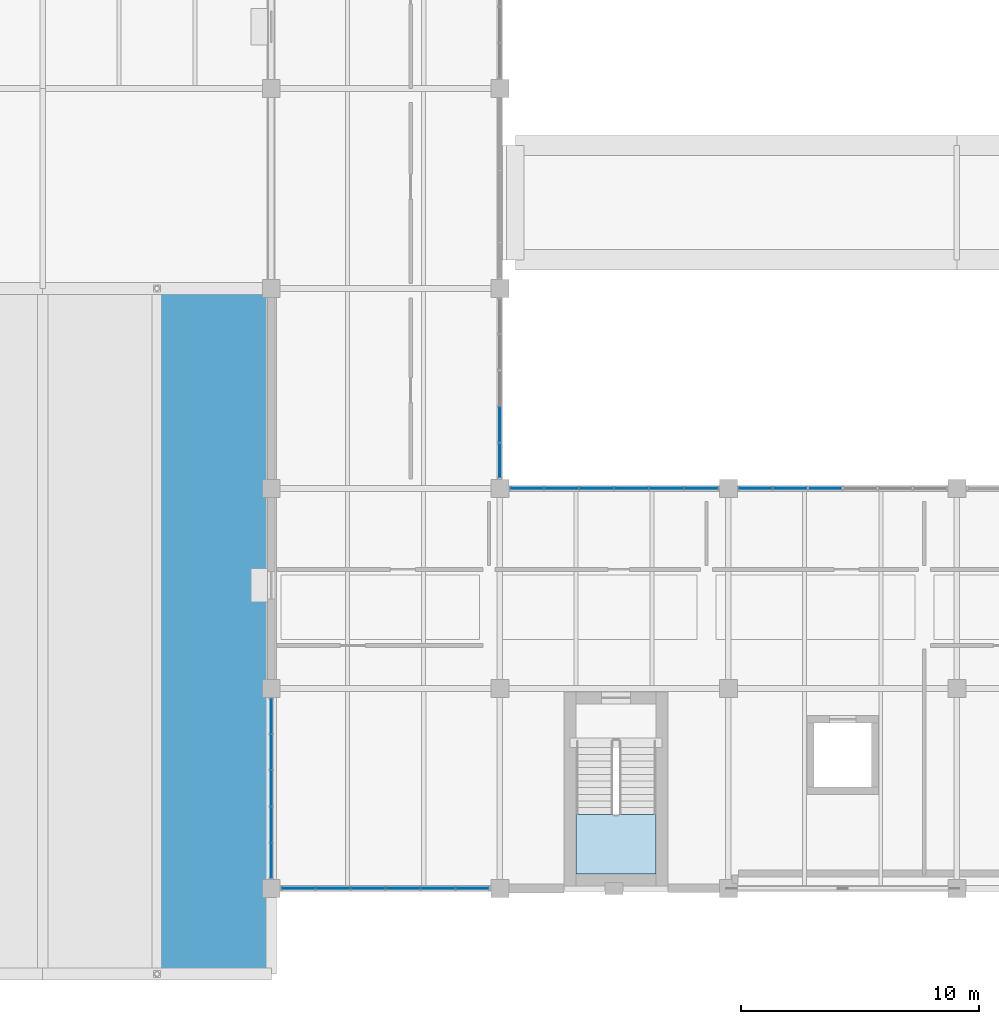
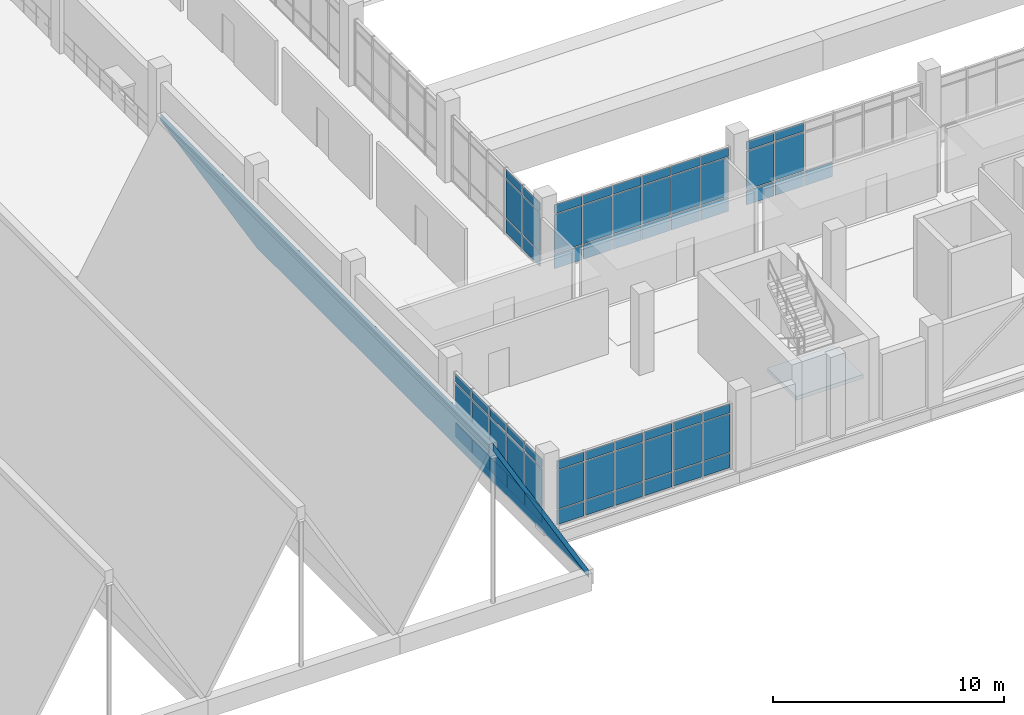
# One storey, part 40 of 86: 64 plates, 2 slabs, 7 elements without a shape of their own.
"""IFC4 building model written with IfcOpenShell, lengths in metres."""

from ifc_helpers import new_model, si_unit, direction, frame, origin, origin_2d, place, context, subcontext, project, spatial, polyline, rectangle, outline, extrude, material, layer, layer_set, type_object, element, aggregate, save


model = new_model("IFC4")

# Units and contexts
model_context = context("Model", 3, precision=1e-05, world=origin(), true_north=direction((0.0, 1.0)))
body_context = subcontext(model_context, "Body", "Model", "MODEL_VIEW")
ifc_project = project(units=[si_unit("LENGTHUNIT", "METRE"), si_unit("AREAUNIT", "SQUARE_METRE"), si_unit("VOLUMEUNIT", "CUBIC_METRE"), si_unit("PLANEANGLEUNIT", "RADIAN"), si_unit("MASSUNIT", "GRAM", prefix="KILO")], contexts=[model_context])

# Site, building, storey
site_placement = place(None, origin())
site = spatial("IfcSite", under=ifc_project, at=site_placement, CompositionType="ELEMENT")
building_placement = place(site_placement, origin())
building = spatial("IfcBuilding", under=site, at=building_placement, Name="Oolite Switchyard Hospital", CompositionType="ELEMENT")
storey_placement = place(building_placement, frame((0.0, 0.0, 13.5)))
storey = spatial("IfcBuildingStorey", under=building, at=storey_placement, Name="L03", CompositionType="ELEMENT", Elevation=13.5)

# Curtain wall, plates
ifc_material_1 = material(Name="Thermally broken aluminum frame with laminated impact glazing", Category="aluminium")
curtain_wall_type_1 = type_object("IfcCurtainWallType", Name="CW-UNIT-84X43", PredefinedType="USERDEFINED", material=ifc_material_1)
curtain_wall_1_placement = place(storey_placement, origin())
curtain_wall_1 = element("IfcCurtainWall", 1, at=curtain_wall_1_placement, inside=storey, type_object=curtain_wall_type_1, Name="L03 Unitised Curtain Wall 339", ObjectType="UNITISED", PredefinedType="USERDEFINED")
ifc_material_2 = material(Name="Laminated hurricane-impact insulated glazing unit", Category="glass")
ifc_layer_1 = layer(ifc_material_2, 0.028076171875)
ifc_layer_set_1 = layer_set([ifc_layer_1], Name="CW-PNL-VIS28")
plate_type_1 = type_object("IfcPlateType", Name="CW-PNL-VIS28", PredefinedType="CURTAIN_PANEL", material=ifc_layer_set_1)
plate_1_placement = place(storey_placement, frame((134.39990234375, 9.56689453125, 0.0751953125), z_axis=(0.0, 0.0, 1.0), x_axis=(0.0, 1.0, 0.0)))
plate_1 = element("IfcPlate", 2, at=plate_1_placement, type_object=plate_type_1, Name="CW-09 panel 1.1", PredefinedType="CURTAIN_PANEL", context=body_context, shape_type="SweptSolid", body=[
    extrude(rectangle(XDim=1.43408203125, YDim=0.028076171875, at=origin_2d()), origin(), (0.0, 0.0, 1.0), 0.737548828125),
])
plate_2_placement = place(storey_placement, frame((134.39990234375, 9.56689453125, 0.8876953125), z_axis=(0.0, 0.0, 1.0), x_axis=(0.0, 1.0, 0.0)))
plate_2 = element("IfcPlate", 3, at=plate_2_placement, type_object=plate_type_1, Name="CW-09 panel 1.2", PredefinedType="CURTAIN_PANEL", context=body_context, shape_type="SweptSolid", body=[
    extrude(rectangle(XDim=1.43408203125, YDim=0.028076171875, at=origin_2d()), origin(), (0.0, 0.0, 1.0), 2.014892578125),
])
plate_3_placement = place(storey_placement, frame((134.39990234375, 9.56689453125, 2.9775390625), z_axis=(0.0, 0.0, 1.0), x_axis=(0.0, 1.0, 0.0)))
plate_3 = element("IfcPlate", 4, at=plate_3_placement, type_object=plate_type_1, Name="CW-09 panel 1.3", PredefinedType="CURTAIN_PANEL", context=body_context, shape_type="SweptSolid", body=[
    extrude(rectangle(XDim=1.43408203125, YDim=0.028076171875, at=origin_2d()), origin(), (0.0, 0.0, 1.0), 0.4375),
])
plate_4_placement = place(storey_placement, frame((134.39990234375, 11.075927734375, 0.0751953125), z_axis=(0.0, 0.0, 1.0), x_axis=(0.0, 1.0, 0.0)))
plate_4 = element("IfcPlate", 5, at=plate_4_placement, type_object=plate_type_1, Name="CW-09 panel 2.1", PredefinedType="CURTAIN_PANEL", context=body_context, shape_type="SweptSolid", body=[
    extrude(rectangle(XDim=1.464111328125, YDim=0.028076171875, at=origin_2d()), origin(), (0.0, 0.0, 1.0), 0.737548828125),
])
plate_5_placement = place(storey_placement, frame((134.39990234375, 11.075927734375, 0.8876953125), z_axis=(0.0, 0.0, 1.0), x_axis=(0.0, 1.0, 0.0)))
plate_5 = element("IfcPlate", 6, at=plate_5_placement, type_object=plate_type_1, Name="CW-09 panel 2.2", PredefinedType="CURTAIN_PANEL", context=body_context, shape_type="SweptSolid", body=[
    extrude(rectangle(XDim=1.464111328125, YDim=0.028076171875, at=origin_2d()), origin(), (0.0, 0.0, 1.0), 2.014892578125),
])
plate_6_placement = place(storey_placement, frame((134.39990234375, 11.075927734375, 2.9775390625), z_axis=(0.0, 0.0, 1.0), x_axis=(0.0, 1.0, 0.0)))
plate_6 = element("IfcPlate", 7, at=plate_6_placement, type_object=plate_type_1, Name="CW-09 panel 2.3", PredefinedType="CURTAIN_PANEL", context=body_context, shape_type="SweptSolid", body=[
    extrude(rectangle(XDim=1.464111328125, YDim=0.028076171875, at=origin_2d()), origin(), (0.0, 0.0, 1.0), 0.4375),
])
plate_7_placement = place(storey_placement, frame((134.39990234375, 12.60009765625, 0.0751953125), z_axis=(0.0, 0.0, 1.0), x_axis=(0.0, 1.0, 0.0)))
plate_7 = element("IfcPlate", 8, at=plate_7_placement, type_object=plate_type_1, Name="CW-09 panel 3.1", PredefinedType="CURTAIN_PANEL", context=body_context, shape_type="SweptSolid", body=[
    extrude(rectangle(XDim=1.464111328125, YDim=0.028076171875, at=origin_2d()), origin(), (0.0, 0.0, 1.0), 0.737548828125),
])
plate_8_placement = place(storey_placement, frame((134.39990234375, 12.60009765625, 0.8876953125), z_axis=(0.0, 0.0, 1.0), x_axis=(0.0, 1.0, 0.0)))
plate_8 = element("IfcPlate", 9, at=plate_8_placement, type_object=plate_type_1, Name="CW-09 panel 3.2", PredefinedType="CURTAIN_PANEL", context=body_context, shape_type="SweptSolid", body=[
    extrude(rectangle(XDim=1.464111328125, YDim=0.028076171875, at=origin_2d()), origin(), (0.0, 0.0, 1.0), 2.014892578125),
])
plate_9_placement = place(storey_placement, frame((134.39990234375, 12.60009765625, 2.9775390625), z_axis=(0.0, 0.0, 1.0), x_axis=(0.0, 1.0, 0.0)))
plate_9 = element("IfcPlate", 10, at=plate_9_placement, type_object=plate_type_1, Name="CW-09 panel 3.3", PredefinedType="CURTAIN_PANEL", context=body_context, shape_type="SweptSolid", body=[
    extrude(rectangle(XDim=1.464111328125, YDim=0.028076171875, at=origin_2d()), origin(), (0.0, 0.0, 1.0), 0.4375),
])
plate_10_placement = place(storey_placement, frame((134.39990234375, 14.1240234375, 0.0751953125), z_axis=(0.0, 0.0, 1.0), x_axis=(0.0, 1.0, 0.0)))
plate_10 = element("IfcPlate", 11, at=plate_10_placement, type_object=plate_type_1, Name="CW-09 panel 4.1", PredefinedType="CURTAIN_PANEL", context=body_context, shape_type="SweptSolid", body=[
    extrude(rectangle(XDim=1.464111328125, YDim=0.028076171875, at=origin_2d()), origin(), (0.0, 0.0, 1.0), 0.737548828125),
])
plate_11_placement = place(storey_placement, frame((134.39990234375, 14.1240234375, 0.8876953125), z_axis=(0.0, 0.0, 1.0), x_axis=(0.0, 1.0, 0.0)))
plate_11 = element("IfcPlate", 12, at=plate_11_placement, type_object=plate_type_1, Name="CW-09 panel 4.2", PredefinedType="CURTAIN_PANEL", context=body_context, shape_type="SweptSolid", body=[
    extrude(rectangle(XDim=1.464111328125, YDim=0.028076171875, at=origin_2d()), origin(), (0.0, 0.0, 1.0), 2.014892578125),
])
plate_12_placement = place(storey_placement, frame((134.39990234375, 14.1240234375, 2.9775390625), z_axis=(0.0, 0.0, 1.0), x_axis=(0.0, 1.0, 0.0)))
plate_12 = element("IfcPlate", 13, at=plate_12_placement, type_object=plate_type_1, Name="CW-09 panel 4.3", PredefinedType="CURTAIN_PANEL", context=body_context, shape_type="SweptSolid", body=[
    extrude(rectangle(XDim=1.464111328125, YDim=0.028076171875, at=origin_2d()), origin(), (0.0, 0.0, 1.0), 0.4375),
])
plate_13_placement = place(storey_placement, frame((134.39990234375, 15.633056640625, 0.0751953125), z_axis=(0.0, 0.0, 1.0), x_axis=(0.0, 1.0, 0.0)))
plate_13 = element("IfcPlate", 14, at=plate_13_placement, type_object=plate_type_1, Name="CW-09 panel 5.1", PredefinedType="CURTAIN_PANEL", context=body_context, shape_type="SweptSolid", body=[
    extrude(rectangle(XDim=1.43408203125, YDim=0.028076171875, at=origin_2d()), origin(), (0.0, 0.0, 1.0), 0.737548828125),
])
plate_14_placement = place(storey_placement, frame((134.39990234375, 15.633056640625, 0.8876953125), z_axis=(0.0, 0.0, 1.0), x_axis=(0.0, 1.0, 0.0)))
plate_14 = element("IfcPlate", 15, at=plate_14_placement, type_object=plate_type_1, Name="CW-09 panel 5.2", PredefinedType="CURTAIN_PANEL", context=body_context, shape_type="SweptSolid", body=[
    extrude(rectangle(XDim=1.43408203125, YDim=0.028076171875, at=origin_2d()), origin(), (0.0, 0.0, 1.0), 2.014892578125),
])
plate_15_placement = place(storey_placement, frame((134.39990234375, 15.633056640625, 2.9775390625), z_axis=(0.0, 0.0, 1.0), x_axis=(0.0, 1.0, 0.0)))
plate_15 = element("IfcPlate", 16, at=plate_15_placement, type_object=plate_type_1, Name="CW-09 panel 5.3", PredefinedType="CURTAIN_PANEL", context=body_context, shape_type="SweptSolid", body=[
    extrude(rectangle(XDim=1.43408203125, YDim=0.028076171875, at=origin_2d()), origin(), (0.0, 0.0, 1.0), 0.4375),
])
aggregate(curtain_wall_1, [plate_1, plate_2, plate_3, plate_4, plate_5, plate_6, plate_7, plate_8, plate_9, plate_10, plate_11, plate_12, plate_13, plate_14, plate_15])

curtain_wall_2_placement = place(storey_placement, origin())
curtain_wall_2 = element("IfcCurtainWall", 17, at=curtain_wall_2_placement, inside=storey, type_object=curtain_wall_type_1, Name="L03 Unitised Curtain Wall 340", ObjectType="UNITISED", PredefinedType="USERDEFINED")
plate_16_placement = place(storey_placement, frame((144.0, 27.8759765625, 0.06005859375), z_axis=(0.0, 0.0, 1.0), x_axis=(0.0, -1.0, 0.0)))
plate_16 = element("IfcPlate", 18, at=plate_16_placement, type_object=plate_type_1, Name="CW-09 panel 4.1", PredefinedType="CURTAIN_PANEL", context=body_context, shape_type="SweptSolid", body=[
    extrude(rectangle(XDim=1.4541015625, YDim=0.028076171875, at=origin_2d()), origin(), (0.0, 0.0, 1.0), 0.760009765625),
])
plate_17_placement = place(storey_placement, frame((144.0, 27.8759765625, 0.8798828125), z_axis=(0.0, 0.0, 1.0), x_axis=(0.0, -1.0, 0.0)))
plate_17 = element("IfcPlate", 19, at=plate_17_placement, type_object=plate_type_1, Name="CW-09 panel 4.2", PredefinedType="CURTAIN_PANEL", context=body_context, shape_type="SweptSolid", body=[
    extrude(rectangle(XDim=1.4541015625, YDim=0.028076171875, at=origin_2d()), origin(), (0.0, 0.0, 1.0), 2.030029296875),
])
plate_18_placement = place(storey_placement, frame((144.0, 27.8759765625, 2.969970703125), z_axis=(0.0, 0.0, 1.0), x_axis=(0.0, -1.0, 0.0)))
plate_18 = element("IfcPlate", 20, at=plate_18_placement, type_object=plate_type_1, Name="CW-09 panel 4.3", PredefinedType="CURTAIN_PANEL", context=body_context, shape_type="SweptSolid", body=[
    extrude(rectangle(XDim=1.4541015625, YDim=0.028076171875, at=origin_2d()), origin(), (0.0, 0.0, 1.0), 0.4599609375),
])
plate_19_placement = place(storey_placement, frame((144.0, 26.369384765625, 0.06005859375), z_axis=(0.0, 0.0, 1.0), x_axis=(0.0, -1.0, 0.0)))
plate_19 = element("IfcPlate", 21, at=plate_19_placement, type_object=plate_type_1, Name="CW-09 panel 5.1", PredefinedType="CURTAIN_PANEL", context=body_context, shape_type="SweptSolid", body=[
    extrude(rectangle(XDim=1.4189453125, YDim=0.028076171875, at=origin_2d()), origin(), (0.0, 0.0, 1.0), 0.760009765625),
])
plate_20_placement = place(storey_placement, frame((144.0, 26.369384765625, 0.8798828125), z_axis=(0.0, 0.0, 1.0), x_axis=(0.0, -1.0, 0.0)))
plate_20 = element("IfcPlate", 22, at=plate_20_placement, type_object=plate_type_1, Name="CW-09 panel 5.2", PredefinedType="CURTAIN_PANEL", context=body_context, shape_type="SweptSolid", body=[
    extrude(rectangle(XDim=1.4189453125, YDim=0.028076171875, at=origin_2d()), origin(), (0.0, 0.0, 1.0), 2.030029296875),
])
plate_21_placement = place(storey_placement, frame((144.0, 26.369384765625, 2.969970703125), z_axis=(0.0, 0.0, 1.0), x_axis=(0.0, -1.0, 0.0)))
plate_21 = element("IfcPlate", 23, at=plate_21_placement, type_object=plate_type_1, Name="CW-09 panel 5.3", PredefinedType="CURTAIN_PANEL", context=body_context, shape_type="SweptSolid", body=[
    extrude(rectangle(XDim=1.4189453125, YDim=0.028076171875, at=origin_2d()), origin(), (0.0, 0.0, 1.0), 0.4599609375),
])
aggregate(curtain_wall_2, [plate_16, plate_17, plate_18, plate_19, plate_20, plate_21])

curtain_wall_type_2 = type_object("IfcCurtainWallType", Name="CW-UNIT-96X43", PredefinedType="USERDEFINED", material=ifc_material_1)
curtain_wall_3_placement = place(storey_placement, origin())
curtain_wall_3 = element("IfcCurtainWall", 24, at=curtain_wall_3_placement, inside=storey, type_object=curtain_wall_type_2, Name="L03 Unitised Curtain Wall 330", ObjectType="UNITISED", PredefinedType="USERDEFINED")
ifc_layer_2 = layer(ifc_material_2, 0.031982421875)
ifc_layer_set_2 = layer_set([ifc_layer_2], Name="CW-PNL-VIS32")
plate_type_2 = type_object("IfcPlateType", Name="CW-PNL-VIS32", PredefinedType="CURTAIN_PANEL", material=ifc_layer_set_2)
plate_22_placement = place(storey_placement, frame((145.139892578125, 25.199951171875, 0.06005859375), z_axis=(0.0, 0.0, 1.0), x_axis=(1.0, 0.0, 0.0)))
plate_22 = element("IfcPlate", 25, at=plate_22_placement, type_object=plate_type_2, Name="CW-04 panel 1.1", PredefinedType="CURTAIN_PANEL", context=body_context, shape_type="SweptSolid", body=[
    extrude(rectangle(XDim=1.3798828125, YDim=0.031982421875, at=origin_2d()), origin(), (0.0, 0.0, 1.0), 0.760009765625),
])
plate_23_placement = place(storey_placement, frame((145.139892578125, 25.199951171875, 0.8798828125), z_axis=(0.0, 0.0, 1.0), x_axis=(1.0, 0.0, 0.0)))
plate_23 = element("IfcPlate", 26, at=plate_23_placement, type_object=plate_type_2, Name="CW-04 panel 1.2", PredefinedType="CURTAIN_PANEL", context=body_context, shape_type="SweptSolid", body=[
    extrude(rectangle(XDim=1.3798828125, YDim=0.031982421875, at=origin_2d()), origin(), (0.0, 0.0, 1.0), 2.030029296875),
])
plate_24_placement = place(storey_placement, frame((145.139892578125, 25.199951171875, 2.969970703125), z_axis=(0.0, 0.0, 1.0), x_axis=(1.0, 0.0, 0.0)))
plate_24 = element("IfcPlate", 27, at=plate_24_placement, type_object=plate_type_2, Name="CW-04 panel 1.3", PredefinedType="CURTAIN_PANEL", context=body_context, shape_type="SweptSolid", body=[
    extrude(rectangle(XDim=1.3798828125, YDim=0.031982421875, at=origin_2d()), origin(), (0.0, 0.0, 1.0), 0.4599609375),
])
plate_25_placement = place(storey_placement, frame((146.594970703125, 25.199951171875, 0.06005859375), z_axis=(0.0, 0.0, 1.0), x_axis=(1.0, 0.0, 0.0)))
plate_25 = element("IfcPlate", 28, at=plate_25_placement, type_object=plate_type_2, Name="CW-04 panel 2.1", PredefinedType="CURTAIN_PANEL", context=body_context, shape_type="SweptSolid", body=[
    extrude(rectangle(XDim=1.409912109375, YDim=0.031982421875, at=origin_2d()), origin(), (0.0, 0.0, 1.0), 0.760009765625),
])
plate_26_placement = place(storey_placement, frame((146.594970703125, 25.199951171875, 0.8798828125), z_axis=(0.0, 0.0, 1.0), x_axis=(1.0, 0.0, 0.0)))
plate_26 = element("IfcPlate", 29, at=plate_26_placement, type_object=plate_type_2, Name="CW-04 panel 2.2", PredefinedType="CURTAIN_PANEL", context=body_context, shape_type="SweptSolid", body=[
    extrude(rectangle(XDim=1.409912109375, YDim=0.031982421875, at=origin_2d()), origin(), (0.0, 0.0, 1.0), 2.030029296875),
])
plate_27_placement = place(storey_placement, frame((146.594970703125, 25.199951171875, 2.969970703125), z_axis=(0.0, 0.0, 1.0), x_axis=(1.0, 0.0, 0.0)))
plate_27 = element("IfcPlate", 30, at=plate_27_placement, type_object=plate_type_2, Name="CW-04 panel 2.3", PredefinedType="CURTAIN_PANEL", context=body_context, shape_type="SweptSolid", body=[
    extrude(rectangle(XDim=1.409912109375, YDim=0.031982421875, at=origin_2d()), origin(), (0.0, 0.0, 1.0), 0.4599609375),
])
plate_28_placement = place(storey_placement, frame((148.06494140625, 25.199951171875, 0.06005859375), z_axis=(0.0, 0.0, 1.0), x_axis=(1.0, 0.0, 0.0)))
plate_28 = element("IfcPlate", 31, at=plate_28_placement, type_object=plate_type_2, Name="CW-04 panel 3.1", PredefinedType="CURTAIN_PANEL", context=body_context, shape_type="SweptSolid", body=[
    extrude(rectangle(XDim=1.409912109375, YDim=0.031982421875, at=origin_2d()), origin(), (0.0, 0.0, 1.0), 0.760009765625),
])
plate_29_placement = place(storey_placement, frame((148.06494140625, 25.199951171875, 0.8798828125), z_axis=(0.0, 0.0, 1.0), x_axis=(1.0, 0.0, 0.0)))
plate_29 = element("IfcPlate", 32, at=plate_29_placement, type_object=plate_type_2, Name="CW-04 panel 3.2", PredefinedType="CURTAIN_PANEL", context=body_context, shape_type="SweptSolid", body=[
    extrude(rectangle(XDim=1.409912109375, YDim=0.031982421875, at=origin_2d()), origin(), (0.0, 0.0, 1.0), 2.030029296875),
])
plate_30_placement = place(storey_placement, frame((148.06494140625, 25.199951171875, 2.969970703125), z_axis=(0.0, 0.0, 1.0), x_axis=(1.0, 0.0, 0.0)))
plate_30 = element("IfcPlate", 33, at=plate_30_placement, type_object=plate_type_2, Name="CW-04 panel 3.3", PredefinedType="CURTAIN_PANEL", context=body_context, shape_type="SweptSolid", body=[
    extrude(rectangle(XDim=1.409912109375, YDim=0.031982421875, at=origin_2d()), origin(), (0.0, 0.0, 1.0), 0.4599609375),
])
plate_31_placement = place(storey_placement, frame((149.534912109375, 25.199951171875, 0.06005859375), z_axis=(0.0, 0.0, 1.0), x_axis=(1.0, 0.0, 0.0)))
plate_31 = element("IfcPlate", 34, at=plate_31_placement, type_object=plate_type_2, Name="CW-04 panel 4.1", PredefinedType="CURTAIN_PANEL", context=body_context, shape_type="SweptSolid", body=[
    extrude(rectangle(XDim=1.409912109375, YDim=0.031982421875, at=origin_2d()), origin(), (0.0, 0.0, 1.0), 0.760009765625),
])
plate_32_placement = place(storey_placement, frame((149.534912109375, 25.199951171875, 0.8798828125), z_axis=(0.0, 0.0, 1.0), x_axis=(1.0, 0.0, 0.0)))
plate_32 = element("IfcPlate", 35, at=plate_32_placement, type_object=plate_type_2, Name="CW-04 panel 4.2", PredefinedType="CURTAIN_PANEL", context=body_context, shape_type="SweptSolid", body=[
    extrude(rectangle(XDim=1.409912109375, YDim=0.031982421875, at=origin_2d()), origin(), (0.0, 0.0, 1.0), 2.030029296875),
])
plate_33_placement = place(storey_placement, frame((149.534912109375, 25.199951171875, 2.969970703125), z_axis=(0.0, 0.0, 1.0), x_axis=(1.0, 0.0, 0.0)))
plate_33 = element("IfcPlate", 36, at=plate_33_placement, type_object=plate_type_2, Name="CW-04 panel 4.3", PredefinedType="CURTAIN_PANEL", context=body_context, shape_type="SweptSolid", body=[
    extrude(rectangle(XDim=1.409912109375, YDim=0.031982421875, at=origin_2d()), origin(), (0.0, 0.0, 1.0), 0.4599609375),
])
plate_34_placement = place(storey_placement, frame((151.0048828125, 25.199951171875, 0.06005859375), z_axis=(0.0, 0.0, 1.0), x_axis=(1.0, 0.0, 0.0)))
plate_34 = element("IfcPlate", 37, at=plate_34_placement, type_object=plate_type_2, Name="CW-04 panel 5.1", PredefinedType="CURTAIN_PANEL", context=body_context, shape_type="SweptSolid", body=[
    extrude(rectangle(XDim=1.409912109375, YDim=0.031982421875, at=origin_2d()), origin(), (0.0, 0.0, 1.0), 0.760009765625),
])
plate_35_placement = place(storey_placement, frame((151.0048828125, 25.199951171875, 0.8798828125), z_axis=(0.0, 0.0, 1.0), x_axis=(1.0, 0.0, 0.0)))
plate_35 = element("IfcPlate", 38, at=plate_35_placement, type_object=plate_type_2, Name="CW-04 panel 5.2", PredefinedType="CURTAIN_PANEL", context=body_context, shape_type="SweptSolid", body=[
    extrude(rectangle(XDim=1.409912109375, YDim=0.031982421875, at=origin_2d()), origin(), (0.0, 0.0, 1.0), 2.030029296875),
])
plate_36_placement = place(storey_placement, frame((151.0048828125, 25.199951171875, 2.969970703125), z_axis=(0.0, 0.0, 1.0), x_axis=(1.0, 0.0, 0.0)))
plate_36 = element("IfcPlate", 39, at=plate_36_placement, type_object=plate_type_2, Name="CW-04 panel 5.3", PredefinedType="CURTAIN_PANEL", context=body_context, shape_type="SweptSolid", body=[
    extrude(rectangle(XDim=1.409912109375, YDim=0.031982421875, at=origin_2d()), origin(), (0.0, 0.0, 1.0), 0.4599609375),
])
plate_37_placement = place(storey_placement, frame((152.4599609375, 25.199951171875, 0.06005859375), z_axis=(0.0, 0.0, 1.0), x_axis=(1.0, 0.0, 0.0)))
plate_37 = element("IfcPlate", 40, at=plate_37_placement, type_object=plate_type_2, Name="CW-04 panel 6.1", PredefinedType="CURTAIN_PANEL", context=body_context, shape_type="SweptSolid", body=[
    extrude(rectangle(XDim=1.3798828125, YDim=0.031982421875, at=origin_2d()), origin(), (0.0, 0.0, 1.0), 0.760009765625),
])
plate_38_placement = place(storey_placement, frame((152.4599609375, 25.199951171875, 0.8798828125), z_axis=(0.0, 0.0, 1.0), x_axis=(1.0, 0.0, 0.0)))
plate_38 = element("IfcPlate", 41, at=plate_38_placement, type_object=plate_type_2, Name="CW-04 panel 6.2", PredefinedType="CURTAIN_PANEL", context=body_context, shape_type="SweptSolid", body=[
    extrude(rectangle(XDim=1.3798828125, YDim=0.031982421875, at=origin_2d()), origin(), (0.0, 0.0, 1.0), 2.030029296875),
])
plate_39_placement = place(storey_placement, frame((152.4599609375, 25.199951171875, 2.969970703125), z_axis=(0.0, 0.0, 1.0), x_axis=(1.0, 0.0, 0.0)))
plate_39 = element("IfcPlate", 42, at=plate_39_placement, type_object=plate_type_2, Name="CW-04 panel 6.3", PredefinedType="CURTAIN_PANEL", context=body_context, shape_type="SweptSolid", body=[
    extrude(rectangle(XDim=1.3798828125, YDim=0.031982421875, at=origin_2d()), origin(), (0.0, 0.0, 1.0), 0.4599609375),
])
aggregate(curtain_wall_3, [plate_22, plate_23, plate_24, plate_25, plate_26, plate_27, plate_28, plate_29, plate_30, plate_31, plate_32, plate_33, plate_34, plate_35, plate_36, plate_37, plate_38, plate_39])

curtain_wall_4_placement = place(storey_placement, origin())
curtain_wall_4 = element("IfcCurtainWall", 43, at=curtain_wall_4_placement, inside=storey, type_object=curtain_wall_type_2, Name="L03 Unitised Curtain Wall 326", ObjectType="UNITISED", PredefinedType="USERDEFINED")
ifc_layer_3 = layer(ifc_material_2, 0.035888671875)
ifc_layer_set_3 = layer_set([ifc_layer_3], Name="CW-PNL-VIS36")
plate_type_3 = type_object("IfcPlateType", Name="CW-PNL-VIS36", PredefinedType="CURTAIN_PANEL", material=ifc_layer_set_3)
plate_40_placement = place(storey_placement, frame((142.856201171875, 8.39990234375, 0.06005859375), z_axis=(0.0, 0.0, 1.0), x_axis=(-1.0, 0.0, 0.0)))
plate_40 = element("IfcPlate", 44, at=plate_40_placement, type_object=plate_type_3, Name="CW-04 panel 1.1", PredefinedType="CURTAIN_PANEL", context=body_context, shape_type="SweptSolid", body=[
    extrude(rectangle(XDim=1.357421875, YDim=0.035888671875, at=origin_2d()), origin(), (0.0, 0.0, 1.0), 0.760009765625),
])
plate_41_placement = place(storey_placement, frame((142.856201171875, 8.39990234375, 0.8798828125), z_axis=(0.0, 0.0, 1.0), x_axis=(-1.0, 0.0, 0.0)))
plate_41 = element("IfcPlate", 45, at=plate_41_placement, type_object=plate_type_3, Name="CW-04 panel 1.2", PredefinedType="CURTAIN_PANEL", context=body_context, shape_type="SweptSolid", body=[
    extrude(rectangle(XDim=1.357421875, YDim=0.035888671875, at=origin_2d()), origin(), (0.0, 0.0, 1.0), 2.030029296875),
])
plate_42_placement = place(storey_placement, frame((142.856201171875, 8.39990234375, 2.969970703125), z_axis=(0.0, 0.0, 1.0), x_axis=(-1.0, 0.0, 0.0)))
plate_42 = element("IfcPlate", 46, at=plate_42_placement, type_object=plate_type_3, Name="CW-04 panel 1.3", PredefinedType="CURTAIN_PANEL", context=body_context, shape_type="SweptSolid", body=[
    extrude(rectangle(XDim=1.357421875, YDim=0.035888671875, at=origin_2d()), origin(), (0.0, 0.0, 1.0), 0.4599609375),
])
plate_43_placement = place(storey_placement, frame((141.405029296875, 8.39990234375, 0.06005859375), z_axis=(0.0, 0.0, 1.0), x_axis=(-1.0, 0.0, 0.0)))
plate_43 = element("IfcPlate", 47, at=plate_43_placement, type_object=plate_type_3, Name="CW-04 panel 2.1", PredefinedType="CURTAIN_PANEL", context=body_context, shape_type="SweptSolid", body=[
    extrude(rectangle(XDim=1.39501953125, YDim=0.035888671875, at=origin_2d()), origin(), (0.0, 0.0, 1.0), 0.760009765625),
])
plate_44_placement = place(storey_placement, frame((141.405029296875, 8.39990234375, 0.8798828125), z_axis=(0.0, 0.0, 1.0), x_axis=(-1.0, 0.0, 0.0)))
plate_44 = element("IfcPlate", 48, at=plate_44_placement, type_object=plate_type_3, Name="CW-04 panel 2.2", PredefinedType="CURTAIN_PANEL", context=body_context, shape_type="SweptSolid", body=[
    extrude(rectangle(XDim=1.39501953125, YDim=0.035888671875, at=origin_2d()), origin(), (0.0, 0.0, 1.0), 2.030029296875),
])
plate_45_placement = place(storey_placement, frame((141.405029296875, 8.39990234375, 2.969970703125), z_axis=(0.0, 0.0, 1.0), x_axis=(-1.0, 0.0, 0.0)))
plate_45 = element("IfcPlate", 49, at=plate_45_placement, type_object=plate_type_3, Name="CW-04 panel 2.3", PredefinedType="CURTAIN_PANEL", context=body_context, shape_type="SweptSolid", body=[
    extrude(rectangle(XDim=1.39501953125, YDim=0.035888671875, at=origin_2d()), origin(), (0.0, 0.0, 1.0), 0.4599609375),
])
plate_46_placement = place(storey_placement, frame((139.93505859375, 8.39990234375, 0.06005859375), z_axis=(0.0, 0.0, 1.0), x_axis=(-1.0, 0.0, 0.0)))
plate_46 = element("IfcPlate", 50, at=plate_46_placement, type_object=plate_type_3, Name="CW-04 panel 3.1", PredefinedType="CURTAIN_PANEL", context=body_context, shape_type="SweptSolid", body=[
    extrude(rectangle(XDim=1.39501953125, YDim=0.035888671875, at=origin_2d()), origin(), (0.0, 0.0, 1.0), 0.760009765625),
])
plate_47_placement = place(storey_placement, frame((139.93505859375, 8.39990234375, 0.8798828125), z_axis=(0.0, 0.0, 1.0), x_axis=(-1.0, 0.0, 0.0)))
plate_47 = element("IfcPlate", 51, at=plate_47_placement, type_object=plate_type_3, Name="CW-04 panel 3.2", PredefinedType="CURTAIN_PANEL", context=body_context, shape_type="SweptSolid", body=[
    extrude(rectangle(XDim=1.39501953125, YDim=0.035888671875, at=origin_2d()), origin(), (0.0, 0.0, 1.0), 2.030029296875),
])
plate_48_placement = place(storey_placement, frame((139.93505859375, 8.39990234375, 2.969970703125), z_axis=(0.0, 0.0, 1.0), x_axis=(-1.0, 0.0, 0.0)))
plate_48 = element("IfcPlate", 52, at=plate_48_placement, type_object=plate_type_3, Name="CW-04 panel 3.3", PredefinedType="CURTAIN_PANEL", context=body_context, shape_type="SweptSolid", body=[
    extrude(rectangle(XDim=1.39501953125, YDim=0.035888671875, at=origin_2d()), origin(), (0.0, 0.0, 1.0), 0.4599609375),
])
plate_49_placement = place(storey_placement, frame((138.465087890625, 8.39990234375, 0.06005859375), z_axis=(0.0, 0.0, 1.0), x_axis=(-1.0, 0.0, 0.0)))
plate_49 = element("IfcPlate", 53, at=plate_49_placement, type_object=plate_type_3, Name="CW-04 panel 4.1", PredefinedType="CURTAIN_PANEL", context=body_context, shape_type="SweptSolid", body=[
    extrude(rectangle(XDim=1.39501953125, YDim=0.035888671875, at=origin_2d()), origin(), (0.0, 0.0, 1.0), 0.760009765625),
])
plate_50_placement = place(storey_placement, frame((138.465087890625, 8.39990234375, 0.8798828125), z_axis=(0.0, 0.0, 1.0), x_axis=(-1.0, 0.0, 0.0)))
plate_50 = element("IfcPlate", 54, at=plate_50_placement, type_object=plate_type_3, Name="CW-04 panel 4.2", PredefinedType="CURTAIN_PANEL", context=body_context, shape_type="SweptSolid", body=[
    extrude(rectangle(XDim=1.39501953125, YDim=0.035888671875, at=origin_2d()), origin(), (0.0, 0.0, 1.0), 2.030029296875),
])
plate_51_placement = place(storey_placement, frame((138.465087890625, 8.39990234375, 2.969970703125), z_axis=(0.0, 0.0, 1.0), x_axis=(-1.0, 0.0, 0.0)))
plate_51 = element("IfcPlate", 55, at=plate_51_placement, type_object=plate_type_3, Name="CW-04 panel 4.3", PredefinedType="CURTAIN_PANEL", context=body_context, shape_type="SweptSolid", body=[
    extrude(rectangle(XDim=1.39501953125, YDim=0.035888671875, at=origin_2d()), origin(), (0.0, 0.0, 1.0), 0.4599609375),
])
plate_52_placement = place(storey_placement, frame((136.9951171875, 8.39990234375, 0.06005859375), z_axis=(0.0, 0.0, 1.0), x_axis=(-1.0, 0.0, 0.0)))
plate_52 = element("IfcPlate", 56, at=plate_52_placement, type_object=plate_type_3, Name="CW-04 panel 5.1", PredefinedType="CURTAIN_PANEL", context=body_context, shape_type="SweptSolid", body=[
    extrude(rectangle(XDim=1.39501953125, YDim=0.035888671875, at=origin_2d()), origin(), (0.0, 0.0, 1.0), 0.760009765625),
])
plate_53_placement = place(storey_placement, frame((136.9951171875, 8.39990234375, 0.8798828125), z_axis=(0.0, 0.0, 1.0), x_axis=(-1.0, 0.0, 0.0)))
plate_53 = element("IfcPlate", 57, at=plate_53_placement, type_object=plate_type_3, Name="CW-04 panel 5.2", PredefinedType="CURTAIN_PANEL", context=body_context, shape_type="SweptSolid", body=[
    extrude(rectangle(XDim=1.39501953125, YDim=0.035888671875, at=origin_2d()), origin(), (0.0, 0.0, 1.0), 2.030029296875),
])
plate_54_placement = place(storey_placement, frame((136.9951171875, 8.39990234375, 2.969970703125), z_axis=(0.0, 0.0, 1.0), x_axis=(-1.0, 0.0, 0.0)))
plate_54 = element("IfcPlate", 58, at=plate_54_placement, type_object=plate_type_3, Name="CW-04 panel 5.3", PredefinedType="CURTAIN_PANEL", context=body_context, shape_type="SweptSolid", body=[
    extrude(rectangle(XDim=1.39501953125, YDim=0.035888671875, at=origin_2d()), origin(), (0.0, 0.0, 1.0), 0.4599609375),
])
plate_55_placement = place(storey_placement, frame((135.543701171875, 8.39990234375, 0.06005859375), z_axis=(0.0, 0.0, 1.0), x_axis=(-1.0, 0.0, 0.0)))
plate_55 = element("IfcPlate", 59, at=plate_55_placement, type_object=plate_type_3, Name="CW-04 panel 6.1", PredefinedType="CURTAIN_PANEL", context=body_context, shape_type="SweptSolid", body=[
    extrude(rectangle(XDim=1.357421875, YDim=0.035888671875, at=origin_2d()), origin(), (0.0, 0.0, 1.0), 0.760009765625),
])
plate_56_placement = place(storey_placement, frame((135.543701171875, 8.39990234375, 0.8798828125), z_axis=(0.0, 0.0, 1.0), x_axis=(-1.0, 0.0, 0.0)))
plate_56 = element("IfcPlate", 60, at=plate_56_placement, type_object=plate_type_3, Name="CW-04 panel 6.2", PredefinedType="CURTAIN_PANEL", context=body_context, shape_type="SweptSolid", body=[
    extrude(rectangle(XDim=1.357421875, YDim=0.035888671875, at=origin_2d()), origin(), (0.0, 0.0, 1.0), 2.030029296875),
])
plate_57_placement = place(storey_placement, frame((135.543701171875, 8.39990234375, 2.969970703125), z_axis=(0.0, 0.0, 1.0), x_axis=(-1.0, 0.0, 0.0)))
plate_57 = element("IfcPlate", 61, at=plate_57_placement, type_object=plate_type_3, Name="CW-04 panel 6.3", PredefinedType="CURTAIN_PANEL", context=body_context, shape_type="SweptSolid", body=[
    extrude(rectangle(XDim=1.357421875, YDim=0.035888671875, at=origin_2d()), origin(), (0.0, 0.0, 1.0), 0.4599609375),
])
aggregate(curtain_wall_4, [plate_40, plate_41, plate_42, plate_43, plate_44, plate_45, plate_46, plate_47, plate_48, plate_49, plate_50, plate_51, plate_52, plate_53, plate_54, plate_55, plate_56, plate_57])

curtain_wall_5_placement = place(storey_placement, origin())
curtain_wall_5 = element("IfcCurtainWall", 62, at=curtain_wall_5_placement, inside=storey, type_object=curtain_wall_type_2, Name="L03 Unitised Curtain Wall 331", ObjectType="UNITISED", PredefinedType="USERDEFINED")
ifc_layer_4 = layer(ifc_material_2, 0.0419921875)
ifc_layer_set_4 = layer_set([ifc_layer_4], Name="CW-PNL-VIS42")
plate_type_4 = type_object("IfcPlateType", Name="CW-PNL-VIS42", PredefinedType="CURTAIN_PANEL", material=ifc_layer_set_4)
plate_58_placement = place(storey_placement, frame((154.742431640625, 25.199951171875, 0.0751953125), z_axis=(0.0, 0.0, 1.0), x_axis=(1.0, 0.0, 0.0)))
plate_58 = element("IfcPlate", 63, at=plate_58_placement, type_object=plate_type_4, Name="CW-04 panel 1.1", PredefinedType="CURTAIN_PANEL", context=body_context, shape_type="SweptSolid", body=[
    extrude(rectangle(XDim=1.364990234375, YDim=0.0419921875, at=origin_2d()), origin(), (0.0, 0.0, 1.0), 0.737548828125),
])
plate_59_placement = place(storey_placement, frame((154.742431640625, 25.199951171875, 0.8876953125), z_axis=(0.0, 0.0, 1.0), x_axis=(1.0, 0.0, 0.0)))
plate_59 = element("IfcPlate", 64, at=plate_59_placement, type_object=plate_type_4, Name="CW-04 panel 1.2", PredefinedType="CURTAIN_PANEL", context=body_context, shape_type="SweptSolid", body=[
    extrude(rectangle(XDim=1.364990234375, YDim=0.0419921875, at=origin_2d()), origin(), (0.0, 0.0, 1.0), 2.014892578125),
])
plate_60_placement = place(storey_placement, frame((154.742431640625, 25.199951171875, 2.9775390625), z_axis=(0.0, 0.0, 1.0), x_axis=(1.0, 0.0, 0.0)))
plate_60 = element("IfcPlate", 65, at=plate_60_placement, type_object=plate_type_4, Name="CW-04 panel 1.3", PredefinedType="CURTAIN_PANEL", context=body_context, shape_type="SweptSolid", body=[
    extrude(rectangle(XDim=1.364990234375, YDim=0.0419921875, at=origin_2d()), origin(), (0.0, 0.0, 1.0), 0.4375),
])
plate_61_placement = place(storey_placement, frame((156.195068359375, 25.199951171875, 0.0751953125), z_axis=(0.0, 0.0, 1.0), x_axis=(1.0, 0.0, 0.0)))
plate_61 = element("IfcPlate", 66, at=plate_61_placement, type_object=plate_type_4, Name="CW-04 panel 2.1", PredefinedType="CURTAIN_PANEL", context=body_context, shape_type="SweptSolid", body=[
    extrude(rectangle(XDim=1.39990234375, YDim=0.0419921875, at=origin_2d()), origin(), (0.0, 0.0, 1.0), 0.737548828125),
])
plate_62_placement = place(storey_placement, frame((156.195068359375, 25.199951171875, 0.8876953125), z_axis=(0.0, 0.0, 1.0), x_axis=(1.0, 0.0, 0.0)))
plate_62 = element("IfcPlate", 67, at=plate_62_placement, type_object=plate_type_4, Name="CW-04 panel 2.2", PredefinedType="CURTAIN_PANEL", context=body_context, shape_type="SweptSolid", body=[
    extrude(rectangle(XDim=1.39990234375, YDim=0.0419921875, at=origin_2d()), origin(), (0.0, 0.0, 1.0), 2.014892578125),
])
plate_63_placement = place(storey_placement, frame((156.195068359375, 25.199951171875, 2.9775390625), z_axis=(0.0, 0.0, 1.0), x_axis=(1.0, 0.0, 0.0)))
plate_63 = element("IfcPlate", 68, at=plate_63_placement, type_object=plate_type_4, Name="CW-04 panel 2.3", PredefinedType="CURTAIN_PANEL", context=body_context, shape_type="SweptSolid", body=[
    extrude(rectangle(XDim=1.39990234375, YDim=0.0419921875, at=origin_2d()), origin(), (0.0, 0.0, 1.0), 0.4375),
])
plate_64_placement = place(storey_placement, frame((157.6650390625, 25.199951171875, 0.0751953125), z_axis=(0.0, 0.0, 1.0), x_axis=(1.0, 0.0, 0.0)))
plate_64 = element("IfcPlate", 69, at=plate_64_placement, type_object=plate_type_4, Name="CW-04 panel 3.1", PredefinedType="CURTAIN_PANEL", context=body_context, shape_type="SweptSolid", body=[
    extrude(rectangle(XDim=1.39990234375, YDim=0.0419921875, at=origin_2d()), origin(), (0.0, 0.0, 1.0), 0.737548828125),
])
aggregate(curtain_wall_5, [plate_58, plate_59, plate_60, plate_61, plate_62, plate_63, plate_64])

# Roof, slab
ifc_material_3 = material(Name="Concrete C40/50", Category="concrete")
roof_type = type_object("IfcRoofType", Name="ROOF-FOLDED", PredefinedType="FREEFORM", material=ifc_material_3)
roof_placement = place(storey_placement, origin())
roof = element("IfcRoof", 70, at=roof_placement, inside=storey, type_object=roof_type, Name="L03 Main Arrival Hall Folded-Plate Roof", PredefinedType="FREEFORM")
ifc_layer_5 = layer(ifc_material_3, 0.199951171875)
ifc_layer_set_5 = layer_set([ifc_layer_5], Name="SLB-FOLD-200")
slab_type_1 = type_object("IfcSlabType", Name="SLB-FOLD-200", PredefinedType="ROOF", material=ifc_layer_set_5)
slab_1_placement = place(storey_placement, frame((129.60009765625, 4.800048828125, 8.39990234375), z_axis=(0.868249353848, 0.0, 0.496128067682), x_axis=(0.496128067682, 0.0, -0.868249353848)))
slab_1 = element("IfcSlab", 71, at=slab_1_placement, type_object=slab_type_1, Name="Main Hall Folded-Plate Roof Facet 14", PredefinedType="ROOF", context=body_context, shape_type="SweptSolid", body=[
    extrude(outline(polyline([(0.0, 0.0), (9.67452760721079, 0.0), (9.67452760721079, 28.800048828125), (0.0, 28.800048828125), (0.0, 0.0)])), origin(), (0.868249353848, 0.0, -0.496128067682), 0.403076171875),
])
aggregate(roof, [slab_1])

# Stair, slab
stair_type = type_object("IfcStairType", Name="STR-DL-156-R24", PredefinedType="HALF_TURN_STAIR", material=ifc_material_3)
stair_placement = place(storey_placement, origin())
stair = element("IfcStair", 72, at=stair_placement, inside=storey, type_object=stair_type, Name="L03 Exit Stair ST-05", PredefinedType="HALF_TURN_STAIR")
ifc_layer_6 = layer(ifc_material_3, 0.199951171875)
ifc_layer_set_6 = layer_set([ifc_layer_6], Name="SLB-LND-200")
slab_type_2 = type_object("IfcSlabType", Name="SLB-LND-200", PredefinedType="LANDING", material=ifc_layer_set_6)
slab_2_placement = place(storey_placement, frame((0.0, 0.0, 1.949951171875)))
slab_2 = element("IfcSlab", 73, at=slab_2_placement, type_object=slab_type_2, Name="ST-05 landing 1", PredefinedType="LANDING", context=body_context, shape_type="SweptSolid", body=[
    extrude(outline(polyline([(147.199951171875, 11.510009765625), (147.199951171875, 9.0), (150.56005859375, 9.0), (150.56005859375, 11.510009765625), (147.199951171875, 11.510009765625)])), origin(), (0.0, 0.0, 1.0), 0.199951171875),
])
aggregate(stair, [slab_2])

save(model, "model.ifc")
